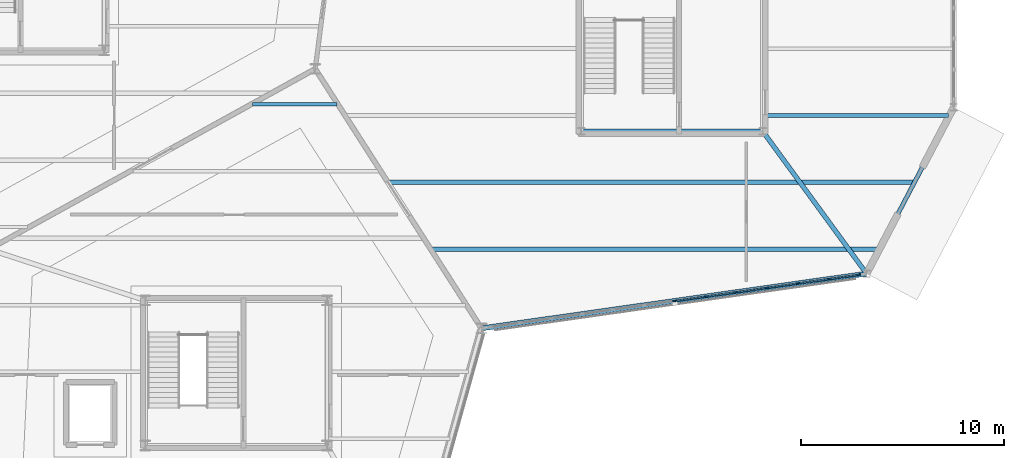
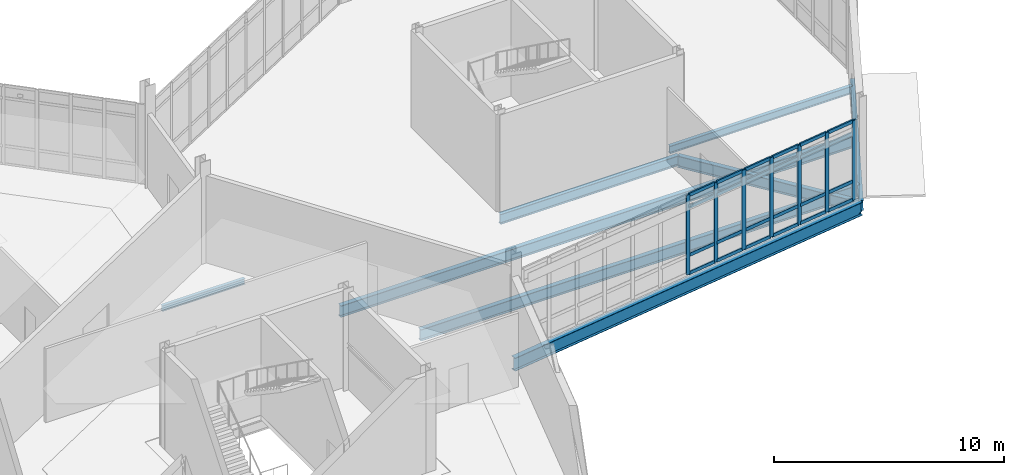
# One storey, part 64 of 113: 31 members, 8 beams, 1 element without a shape of its own.
"""IFC4 building model written with IfcOpenShell, lengths in metres."""

from ifc_helpers import new_model, si_unit, direction, frame, origin, origin_2d, place, context, subcontext, project, spatial, rectangle, i_section, extrude, material, material_profile, profile_set, type_object, element, aggregate, save


model = new_model("IFC4")

# Units and contexts
model_context = context("Model", 3, precision=1e-05, world=origin(), true_north=direction((0.0, 1.0)))
body_context = subcontext(model_context, "Body", "Model", "MODEL_VIEW")
ifc_project = project(units=[si_unit("LENGTHUNIT", "METRE"), si_unit("AREAUNIT", "SQUARE_METRE"), si_unit("VOLUMEUNIT", "CUBIC_METRE"), si_unit("PLANEANGLEUNIT", "RADIAN"), si_unit("MASSUNIT", "GRAM", prefix="KILO")], contexts=[model_context])

# Site, building, storey
site_placement = place(None, origin())
site = spatial("IfcSite", under=ifc_project, at=site_placement, CompositionType="ELEMENT")
building_placement = place(site_placement, origin())
building = spatial("IfcBuilding", under=site, at=building_placement, Name="Tameran Prism Museum", CompositionType="ELEMENT")
storey_placement = place(building_placement, origin())
storey = spatial("IfcBuildingStorey", under=building, at=storey_placement, Name="L00", CompositionType="ELEMENT", Elevation=0.0)

# Beams
ifc_material_1 = material(Name="Steel Grade 300PLUS (300 MPa)", Category="steel")
ifc_material_profile_1 = material_profile(ifc_material_1, i_section(OverallWidth=0.1650390625, OverallDepth=0.303955078125, WebThickness=0.006103515625, FlangeThickness=0.01025390625, FilletRadius=0.011474609375, at=origin_2d()))
ifc_profile_set_1 = profile_set([ifc_material_profile_1])
beam_type_1 = type_object("IfcBeamType", Name="BM-J310B", PredefinedType="JOIST", material=ifc_profile_set_1)
beam_1_placement = place(storey_placement, frame((131.81689453125, 96.25, -0.39208984375), z_axis=(1.0, 0.0, 0.0), x_axis=(0.0, 1.0, 0.0)))
element("IfcBeam", 1, at=beam_1_placement, inside=storey, type_object=beam_type_1, Name="Floor Beam BM-0180", PredefinedType="JOIST", context=body_context, shape_type="SweptSolid", body=[
    extrude(i_section(OverallWidth=0.1650390625, OverallDepth=0.303955078125, WebThickness=0.006103515625, FlangeThickness=0.01025390625, FilletRadius=0.011474609375, at=origin_2d()), origin(), (0.0, 0.0, 1.0), 4.1572265625),
])
ifc_material_2 = material(Name="Steel Grade 300PLUS (300 MPa)", Category="steel")
ifc_material_profile_2 = material_profile(ifc_material_2, i_section(OverallWidth=0.177978515625, OverallDepth=0.403076171875, WebThickness=0.007568359375, FlangeThickness=0.010986328125, FilletRadius=0.011474609375, at=origin_2d()))
ifc_profile_set_2 = profile_set([ifc_material_profile_2])
beam_type_2 = type_object("IfcBeamType", Name="BM-J410B", PredefinedType="JOIST", material=ifc_profile_set_2)
beam_2_placement = place(storey_placement, frame((156.97998046875, 95.699951171875, -0.44140625), z_axis=(1.0, 0.0, 0.0), x_axis=(0.0, 1.0, 0.0)))
element("IfcBeam", 2, at=beam_2_placement, inside=storey, type_object=beam_type_2, Name="Floor Beam BM-0193", PredefinedType="JOIST", context=body_context, shape_type="SweptSolid", body=[
    extrude(i_section(OverallWidth=0.177978515625, OverallDepth=0.403076171875, WebThickness=0.007568359375, FlangeThickness=0.010986328125, FilletRadius=0.011474609375, at=origin_2d()), origin(), (0.0, 0.0, 1.0), 9.1650390625),
])
ifc_material_3 = material(Name="Steel Grade 300PLUS (300 MPa)", Category="steel")
ifc_material_profile_3 = material_profile(ifc_material_3, i_section(OverallWidth=0.208984375, OverallDepth=0.532958984375, WebThickness=0.01025390625, FlangeThickness=0.015625, FilletRadius=0.013916015625, at=origin_2d()))
ifc_profile_set_3 = profile_set([ifc_material_profile_3])
beam_type_3 = type_object("IfcBeamType", Name="BM-SP530A", PredefinedType="SPANDREL", material=ifc_profile_set_3)
beam_3_placement = place(storey_placement, frame((162.10009765625, 87.89990234375, -0.506591796875), z_axis=(0.464385293852, 0.885633275602, 0.0), x_axis=(-0.885633275602, 0.464385293852, 0.0)))
element("IfcBeam", 3, at=beam_3_placement, inside=storey, type_object=beam_type_3, Name="Perimeter Spandrel SP-0017", PredefinedType="SPANDREL", context=body_context, shape_type="SweptSolid", body=[
    extrude(i_section(OverallWidth=0.208984375, OverallDepth=0.532958984375, WebThickness=0.01025390625, FlangeThickness=0.015625, FilletRadius=0.013916015625, at=origin_2d()), origin(), (0.0, 0.0, 1.0), 9.259033203125),
])
ifc_material_4 = material(Name="Steel Grade 300PLUS (300 MPa)", Category="steel")
ifc_material_profile_4 = material_profile(ifc_material_4, i_section(OverallWidth=0.208984375, OverallDepth=0.528076171875, WebThickness=0.009521484375, FlangeThickness=0.01318359375, FilletRadius=0.013916015625, at=origin_2d()))
ifc_profile_set_4 = profile_set([ifc_material_profile_4])
beam_type_4 = type_object("IfcBeamType", Name="BM-SP530B", PredefinedType="SPANDREL", material=ifc_profile_set_4)
beam_4_placement = place(storey_placement, frame((148.02001953125, 94.919921875, -0.50390625), z_axis=(1.0, 0.0, 0.0), x_axis=(0.0, 1.0, 0.0)))
element("IfcBeam", 4, at=beam_4_placement, inside=storey, type_object=beam_type_4, Name="Core Ring Beam CTB-0142", PredefinedType="SPANDREL", context=body_context, shape_type="SweptSolid", body=[
    extrude(i_section(OverallWidth=0.208984375, OverallDepth=0.528076171875, WebThickness=0.009521484375, FlangeThickness=0.01318359375, FilletRadius=0.013916015625, at=origin_2d()), origin(), (0.0, 0.0, 1.0), 8.9599609375),
])
ifc_material_5 = material(Name="Steel Grade 350 (350 MPa)", Category="steel")
ifc_material_profile_5 = material_profile(ifc_material_5, i_section(OverallWidth=0.25, OverallDepth=0.699951171875, WebThickness=0.010009765625, FlangeThickness=0.02001953125, at=origin_2d()))
ifc_profile_set_5 = profile_set([ifc_material_profile_5])
beam_type_5 = type_object("IfcBeamType", Name="BM-SP700", PredefinedType="SPANDREL", material=ifc_profile_set_5)
beam_5_placement = place(storey_placement, frame((143.10009765625, 85.199951171875, -0.590087890625), z_axis=(0.990053795421, 0.140689310798, 0.0), x_axis=(-0.140689310798, 0.990053795421, 0.0)))
element("IfcBeam", 5, at=beam_5_placement, inside=storey, type_object=beam_type_5, Name="Perimeter Spandrel SP-0016", PredefinedType="SPANDREL", context=body_context, shape_type="SweptSolid", body=[
    extrude(i_section(OverallWidth=0.25, OverallDepth=0.699951171875, WebThickness=0.010009765625, FlangeThickness=0.02001953125, at=origin_2d()), origin(), (0.0, 0.0, 1.0), 19.19091796875),
])
ifc_material_6 = material(Name="Steel Grade 300PLUS (300 MPa)", Category="steel")
ifc_material_profile_6 = material_profile(ifc_material_6, i_section(OverallWidth=0.22900390625, OverallDepth=0.612060546875, WebThickness=0.011962890625, FlangeThickness=0.01953125, FilletRadius=0.013916015625, at=origin_2d()))
ifc_profile_set_6 = profile_set([ifc_material_profile_6])
beam_type_6 = type_object("IfcBeamType", Name="BM-UB610A", PredefinedType="BEAM", material=ifc_profile_set_6)
beam_6_placement = place(storey_placement, frame((156.97998046875, 94.919921875, -0.56005859375), z_axis=(0.589273812412, -0.807933397011, 0.0), x_axis=(0.807933397011, 0.589273812412, 0.0)))
element("IfcBeam", 6, at=beam_6_placement, inside=storey, type_object=beam_type_6, Name="Frame Tie Girder FG-1428", PredefinedType="BEAM", context=body_context, shape_type="SweptSolid", body=[
    extrude(i_section(OverallWidth=0.22900390625, OverallDepth=0.612060546875, WebThickness=0.011962890625, FlangeThickness=0.01953125, FilletRadius=0.013916015625, at=origin_2d()), origin(), (0.0, 0.0, 1.0), 8.68896484375),
])
ifc_material_7 = material(Name="Steel Grade 300PLUS (300 MPa)", Category="steel")
ifc_material_profile_7 = material_profile(ifc_material_7, i_section(OverallWidth=0.22802734375, OverallDepth=0.60693359375, WebThickness=0.01123046875, FlangeThickness=0.017333984375, FilletRadius=0.013916015625, at=origin_2d()))
ifc_profile_set_7 = profile_set([ifc_material_profile_7])
beam_type_7 = type_object("IfcBeamType", Name="BM-UB610B", PredefinedType="BEAM", material=ifc_profile_set_7)
beam_7_placement = place(storey_placement, frame((140.64892578125, 89.10009765625, -0.54345703125), z_axis=(1.0, 0.0, 0.0), x_axis=(0.0, 1.0, 0.0)))
element("IfcBeam", 7, at=beam_7_placement, inside=storey, type_object=beam_type_7, Name="Floor Beam BM-0190", PredefinedType="BEAM", context=body_context, shape_type="SweptSolid", body=[
    extrude(i_section(OverallWidth=0.22802734375, OverallDepth=0.60693359375, WebThickness=0.01123046875, FlangeThickness=0.017333984375, FilletRadius=0.013916015625, at=origin_2d()), origin(), (0.0, 0.0, 1.0), 22.03515625),
])
beam_8_placement = place(storey_placement, frame((138.534912109375, 92.39990234375, -0.54345703125), z_axis=(1.0, 0.0, 0.0), x_axis=(0.0, 1.0, 0.0)))
element("IfcBeam", 8, at=beam_8_placement, inside=storey, type_object=beam_type_7, Name="Floor Beam BM-0191", PredefinedType="BEAM", context=body_context, shape_type="SweptSolid", body=[
    extrude(i_section(OverallWidth=0.22802734375, OverallDepth=0.60693359375, WebThickness=0.01123046875, FlangeThickness=0.017333984375, FilletRadius=0.013916015625, at=origin_2d()), origin(), (0.0, 0.0, 1.0), 25.880126953125),
])

# Curtain wall, members
ifc_material_8 = material(Name="Anodised Aluminium 6063-T6 and Cyclone Solar Glass", Category="aluminium")
curtain_wall_type = type_object("IfcCurtainWallType", Name="CW-FAC-1843x422", PredefinedType="USERDEFINED", material=ifc_material_8)
curtain_wall_placement = place(storey_placement, origin())
curtain_wall = element("IfcCurtainWall", 9, at=curtain_wall_placement, inside=storey, type_object=curtain_wall_type, Name="Unitised Curtain Wall CW-025", ObjectType="UNITISED CURTAIN WALL", PredefinedType="USERDEFINED")
ifc_material_9 = material(Name="Anodised Aluminium Alloy 6063-T6", Category="aluminium")
ifc_material_profile_8 = material_profile(ifc_material_9, rectangle(XDim=0.074951171875, YDim=0.199951171875, at=origin_2d()))
ifc_profile_set_8 = profile_set([ifc_material_profile_8])
member_type_1 = type_object("IfcMemberType", Name="CW-MUL-C", PredefinedType="MULLION", material=ifc_profile_set_8)
member_1_placement = place(storey_placement, frame((161.7158203125, 87.845703125, 0.0), z_axis=(0.0, 0.0, 1.0), x_axis=(0.1407452685, -0.990045842067, 0.0)))
member_1 = element("IfcMember", 10, at=member_1_placement, type_object=member_type_1, Name="CW-025 mullion 1", PredefinedType="MULLION", context=body_context, shape_type="SweptSolid", body=[
    extrude(rectangle(XDim=0.074951171875, YDim=0.199951171875, at=origin_2d()), origin(), (0.0, 0.0, 1.0), 4.219970703125),
])
member_2_placement = place(storey_placement, frame((160.232421875, 87.634765625, 0.0), z_axis=(0.0, 0.0, 1.0), x_axis=(0.1407452685, -0.990045842067, 0.0)))
member_2 = element("IfcMember", 11, at=member_2_placement, type_object=member_type_1, Name="CW-025 mullion 2", PredefinedType="MULLION", context=body_context, shape_type="SweptSolid", body=[
    extrude(rectangle(XDim=0.074951171875, YDim=0.199951171875, at=origin_2d()), origin(), (0.0, 0.0, 1.0), 4.219970703125),
])
member_3_placement = place(storey_placement, frame((158.7119140625, 87.418701171875, 0.0), z_axis=(0.0, 0.0, 1.0), x_axis=(0.1407452685, -0.990045842067, 0.0)))
member_3 = element("IfcMember", 12, at=member_3_placement, type_object=member_type_1, Name="CW-025 mullion 3", PredefinedType="MULLION", context=body_context, shape_type="SweptSolid", body=[
    extrude(rectangle(XDim=0.074951171875, YDim=0.199951171875, at=origin_2d()), origin(), (0.0, 0.0, 1.0), 4.219970703125),
])
member_4_placement = place(storey_placement, frame((157.191162109375, 87.202392578125, 0.0), z_axis=(0.0, 0.0, 1.0), x_axis=(0.1407452685, -0.990045842067, 0.0)))
member_4 = element("IfcMember", 13, at=member_4_placement, type_object=member_type_1, Name="CW-025 mullion 4", PredefinedType="MULLION", context=body_context, shape_type="SweptSolid", body=[
    extrude(rectangle(XDim=0.074951171875, YDim=0.199951171875, at=origin_2d()), origin(), (0.0, 0.0, 1.0), 4.219970703125),
])
member_5_placement = place(storey_placement, frame((155.670654296875, 86.986328125, 0.0), z_axis=(0.0, 0.0, 1.0), x_axis=(0.1407452685, -0.990045842067, 0.0)))
member_5 = element("IfcMember", 14, at=member_5_placement, type_object=member_type_1, Name="CW-025 mullion 5", PredefinedType="MULLION", context=body_context, shape_type="SweptSolid", body=[
    extrude(rectangle(XDim=0.074951171875, YDim=0.199951171875, at=origin_2d()), origin(), (0.0, 0.0, 1.0), 4.219970703125),
])
member_6_placement = place(storey_placement, frame((154.150146484375, 86.770263671875, 0.0), z_axis=(0.0, 0.0, 1.0), x_axis=(0.1407452685, -0.990045842067, 0.0)))
member_6 = element("IfcMember", 15, at=member_6_placement, type_object=member_type_1, Name="CW-025 mullion 6", PredefinedType="MULLION", context=body_context, shape_type="SweptSolid", body=[
    extrude(rectangle(XDim=0.074951171875, YDim=0.199951171875, at=origin_2d()), origin(), (0.0, 0.0, 1.0), 4.219970703125),
])
member_7_placement = place(storey_placement, frame((152.62939453125, 86.553955078125, 0.0), z_axis=(0.0, 0.0, 1.0), x_axis=(0.1407452685, -0.990045842067, 0.0)))
member_7 = element("IfcMember", 16, at=member_7_placement, type_object=member_type_1, Name="CW-025 mullion 7", PredefinedType="MULLION", context=body_context, shape_type="SweptSolid", body=[
    extrude(rectangle(XDim=0.074951171875, YDim=0.199951171875, at=origin_2d()), origin(), (0.0, 0.0, 1.0), 4.219970703125),
])
ifc_material_10 = material(Name="Anodised Aluminium Alloy 6063-T6", Category="aluminium")
ifc_material_profile_9 = material_profile(ifc_material_10, rectangle(XDim=0.074951171875, YDim=0.175048828125, at=origin_2d()))
ifc_profile_set_9 = profile_set([ifc_material_profile_9])
member_type_2 = type_object("IfcMemberType", Name="CW-TRN-C", PredefinedType="USERDEFINED", material=ifc_profile_set_9)
member_8_placement = place(storey_placement, frame((161.6787109375, 87.84033203125, 0.03759765625), z_axis=(-0.990058973258, -0.140652868689, 0.0), x_axis=(0.140652868689, -0.990058973258, 0.0)))
member_8 = element("IfcMember", 17, at=member_8_placement, type_object=member_type_2, Name="CW-025 transom 1.1", ObjectType="TRANSOM", PredefinedType="USERDEFINED", context=body_context, shape_type="SweptSolid", body=[
    extrude(rectangle(XDim=0.074951171875, YDim=0.175048828125, at=origin_2d()), origin(), (0.0, 0.0, 1.0), 1.42333984375),
])
member_9_placement = place(storey_placement, frame((161.6787109375, 87.84033203125, 1.0), z_axis=(-0.990058973258, -0.140652868689, 0.0), x_axis=(0.140652868689, -0.990058973258, 0.0)))
member_9 = element("IfcMember", 18, at=member_9_placement, type_object=member_type_2, Name="CW-025 transom 1.2", ObjectType="TRANSOM", PredefinedType="USERDEFINED", context=body_context, shape_type="SweptSolid", body=[
    extrude(rectangle(XDim=0.074951171875, YDim=0.175048828125, at=origin_2d()), origin(), (0.0, 0.0, 1.0), 1.42333984375),
])
member_10_placement = place(storey_placement, frame((161.6787109375, 87.84033203125, 3.5400390625), z_axis=(-0.990058973258, -0.140652868689, 0.0), x_axis=(0.140652868689, -0.990058973258, 0.0)))
member_10 = element("IfcMember", 19, at=member_10_placement, type_object=member_type_2, Name="CW-025 transom 1.3", ObjectType="TRANSOM", PredefinedType="USERDEFINED", context=body_context, shape_type="SweptSolid", body=[
    extrude(rectangle(XDim=0.074951171875, YDim=0.175048828125, at=origin_2d()), origin(), (0.0, 0.0, 1.0), 1.42333984375),
])
member_11_placement = place(storey_placement, frame((161.6787109375, 87.84033203125, 4.1826171875), z_axis=(-0.990058973258, -0.140652868689, 0.0), x_axis=(0.140652868689, -0.990058973258, 0.0)))
member_11 = element("IfcMember", 20, at=member_11_placement, type_object=member_type_2, Name="CW-025 transom 1.4", ObjectType="TRANSOM", PredefinedType="USERDEFINED", context=body_context, shape_type="SweptSolid", body=[
    extrude(rectangle(XDim=0.074951171875, YDim=0.175048828125, at=origin_2d()), origin(), (0.0, 0.0, 1.0), 1.42333984375),
])
member_12_placement = place(storey_placement, frame((160.1953125, 87.629638671875, 0.03759765625), z_axis=(-0.990026223169, -0.140883204951, 0.0), x_axis=(0.140883204951, -0.990026223169, 0.0)))
member_12 = element("IfcMember", 21, at=member_12_placement, type_object=member_type_2, Name="CW-025 transom 2.1", ObjectType="TRANSOM", PredefinedType="USERDEFINED", context=body_context, shape_type="SweptSolid", body=[
    extrude(rectangle(XDim=0.074951171875, YDim=0.175048828125, at=origin_2d()), origin(), (0.0, 0.0, 1.0), 1.4609375),
])
member_13_placement = place(storey_placement, frame((160.1953125, 87.629638671875, 1.0), z_axis=(-0.990026223169, -0.140883204951, 0.0), x_axis=(0.140883204951, -0.990026223169, 0.0)))
member_13 = element("IfcMember", 22, at=member_13_placement, type_object=member_type_2, Name="CW-025 transom 2.2", ObjectType="TRANSOM", PredefinedType="USERDEFINED", context=body_context, shape_type="SweptSolid", body=[
    extrude(rectangle(XDim=0.074951171875, YDim=0.175048828125, at=origin_2d()), origin(), (0.0, 0.0, 1.0), 1.4609375),
])
member_14_placement = place(storey_placement, frame((160.1953125, 87.629638671875, 3.5400390625), z_axis=(-0.990026223169, -0.140883204951, 0.0), x_axis=(0.140883204951, -0.990026223169, 0.0)))
member_14 = element("IfcMember", 23, at=member_14_placement, type_object=member_type_2, Name="CW-025 transom 2.3", ObjectType="TRANSOM", PredefinedType="USERDEFINED", context=body_context, shape_type="SweptSolid", body=[
    extrude(rectangle(XDim=0.074951171875, YDim=0.175048828125, at=origin_2d()), origin(), (0.0, 0.0, 1.0), 1.4609375),
])
member_15_placement = place(storey_placement, frame((160.1953125, 87.629638671875, 4.1826171875), z_axis=(-0.990026223169, -0.140883204951, 0.0), x_axis=(0.140883204951, -0.990026223169, 0.0)))
member_15 = element("IfcMember", 24, at=member_15_placement, type_object=member_type_2, Name="CW-025 transom 2.4", ObjectType="TRANSOM", PredefinedType="USERDEFINED", context=body_context, shape_type="SweptSolid", body=[
    extrude(rectangle(XDim=0.074951171875, YDim=0.175048828125, at=origin_2d()), origin(), (0.0, 0.0, 1.0), 1.4609375),
])
member_16_placement = place(storey_placement, frame((158.6748046875, 87.413330078125, 0.03759765625), z_axis=(-0.990052828496, -0.140696115037, 0.0), x_axis=(0.140696115037, -0.990052828496, 0.0)))
member_16 = element("IfcMember", 25, at=member_16_placement, type_object=member_type_2, Name="CW-025 transom 3.1", ObjectType="TRANSOM", PredefinedType="USERDEFINED", context=body_context, shape_type="SweptSolid", body=[
    extrude(rectangle(XDim=0.074951171875, YDim=0.175048828125, at=origin_2d()), origin(), (0.0, 0.0, 1.0), 1.461181640625),
])
member_17_placement = place(storey_placement, frame((158.6748046875, 87.413330078125, 1.0), z_axis=(-0.990052828496, -0.140696115037, 0.0), x_axis=(0.140696115037, -0.990052828496, 0.0)))
member_17 = element("IfcMember", 26, at=member_17_placement, type_object=member_type_2, Name="CW-025 transom 3.2", ObjectType="TRANSOM", PredefinedType="USERDEFINED", context=body_context, shape_type="SweptSolid", body=[
    extrude(rectangle(XDim=0.074951171875, YDim=0.175048828125, at=origin_2d()), origin(), (0.0, 0.0, 1.0), 1.461181640625),
])
member_18_placement = place(storey_placement, frame((158.6748046875, 87.413330078125, 3.5400390625), z_axis=(-0.990052828496, -0.140696115037, 0.0), x_axis=(0.140696115037, -0.990052828496, 0.0)))
member_18 = element("IfcMember", 27, at=member_18_placement, type_object=member_type_2, Name="CW-025 transom 3.3", ObjectType="TRANSOM", PredefinedType="USERDEFINED", context=body_context, shape_type="SweptSolid", body=[
    extrude(rectangle(XDim=0.074951171875, YDim=0.175048828125, at=origin_2d()), origin(), (0.0, 0.0, 1.0), 1.461181640625),
])
member_19_placement = place(storey_placement, frame((158.6748046875, 87.413330078125, 4.1826171875), z_axis=(-0.990052828496, -0.140696115037, 0.0), x_axis=(0.140696115037, -0.990052828496, 0.0)))
member_19 = element("IfcMember", 28, at=member_19_placement, type_object=member_type_2, Name="CW-025 transom 3.4", ObjectType="TRANSOM", PredefinedType="USERDEFINED", context=body_context, shape_type="SweptSolid", body=[
    extrude(rectangle(XDim=0.074951171875, YDim=0.175048828125, at=origin_2d()), origin(), (0.0, 0.0, 1.0), 1.461181640625),
])
member_20_placement = place(storey_placement, frame((157.154052734375, 87.197265625, 0.03759765625), z_axis=(-0.990049519913, -0.140719394964, 0.0), x_axis=(0.140719394964, -0.990049519913, 0.0)))
member_20 = element("IfcMember", 29, at=member_20_placement, type_object=member_type_2, Name="CW-025 transom 4.1", ObjectType="TRANSOM", PredefinedType="USERDEFINED", context=body_context, shape_type="SweptSolid", body=[
    extrude(rectangle(XDim=0.074951171875, YDim=0.175048828125, at=origin_2d()), origin(), (0.0, 0.0, 1.0), 1.4609375),
])
member_21_placement = place(storey_placement, frame((157.154052734375, 87.197265625, 1.0), z_axis=(-0.990049519913, -0.140719394964, 0.0), x_axis=(0.140719394964, -0.990049519913, 0.0)))
member_21 = element("IfcMember", 30, at=member_21_placement, type_object=member_type_2, Name="CW-025 transom 4.2", ObjectType="TRANSOM", PredefinedType="USERDEFINED", context=body_context, shape_type="SweptSolid", body=[
    extrude(rectangle(XDim=0.074951171875, YDim=0.175048828125, at=origin_2d()), origin(), (0.0, 0.0, 1.0), 1.4609375),
])
member_22_placement = place(storey_placement, frame((157.154052734375, 87.197265625, 3.5400390625), z_axis=(-0.990049519913, -0.140719394964, 0.0), x_axis=(0.140719394964, -0.990049519913, 0.0)))
member_22 = element("IfcMember", 31, at=member_22_placement, type_object=member_type_2, Name="CW-025 transom 4.3", ObjectType="TRANSOM", PredefinedType="USERDEFINED", context=body_context, shape_type="SweptSolid", body=[
    extrude(rectangle(XDim=0.074951171875, YDim=0.175048828125, at=origin_2d()), origin(), (0.0, 0.0, 1.0), 1.4609375),
])
member_23_placement = place(storey_placement, frame((157.154052734375, 87.197265625, 4.1826171875), z_axis=(-0.990049519913, -0.140719394964, 0.0), x_axis=(0.140719394964, -0.990049519913, 0.0)))
member_23 = element("IfcMember", 32, at=member_23_placement, type_object=member_type_2, Name="CW-025 transom 4.4", ObjectType="TRANSOM", PredefinedType="USERDEFINED", context=body_context, shape_type="SweptSolid", body=[
    extrude(rectangle(XDim=0.074951171875, YDim=0.175048828125, at=origin_2d()), origin(), (0.0, 0.0, 1.0), 1.4609375),
])
member_24_placement = place(storey_placement, frame((155.633544921875, 86.98095703125, 0.03759765625), z_axis=(-0.990049519913, -0.140719394964, 0.0), x_axis=(0.140719394964, -0.990049519913, 0.0)))
member_24 = element("IfcMember", 33, at=member_24_placement, type_object=member_type_2, Name="CW-025 transom 5.1", ObjectType="TRANSOM", PredefinedType="USERDEFINED", context=body_context, shape_type="SweptSolid", body=[
    extrude(rectangle(XDim=0.074951171875, YDim=0.175048828125, at=origin_2d()), origin(), (0.0, 0.0, 1.0), 1.4609375),
])
member_25_placement = place(storey_placement, frame((155.633544921875, 86.98095703125, 1.0), z_axis=(-0.990049519913, -0.140719394964, 0.0), x_axis=(0.140719394964, -0.990049519913, 0.0)))
member_25 = element("IfcMember", 34, at=member_25_placement, type_object=member_type_2, Name="CW-025 transom 5.2", ObjectType="TRANSOM", PredefinedType="USERDEFINED", context=body_context, shape_type="SweptSolid", body=[
    extrude(rectangle(XDim=0.074951171875, YDim=0.175048828125, at=origin_2d()), origin(), (0.0, 0.0, 1.0), 1.4609375),
])
member_26_placement = place(storey_placement, frame((155.633544921875, 86.98095703125, 3.5400390625), z_axis=(-0.990049519913, -0.140719394964, 0.0), x_axis=(0.140719394964, -0.990049519913, 0.0)))
member_26 = element("IfcMember", 35, at=member_26_placement, type_object=member_type_2, Name="CW-025 transom 5.3", ObjectType="TRANSOM", PredefinedType="USERDEFINED", context=body_context, shape_type="SweptSolid", body=[
    extrude(rectangle(XDim=0.074951171875, YDim=0.175048828125, at=origin_2d()), origin(), (0.0, 0.0, 1.0), 1.4609375),
])
member_27_placement = place(storey_placement, frame((155.633544921875, 86.98095703125, 4.1826171875), z_axis=(-0.990049519913, -0.140719394964, 0.0), x_axis=(0.140719394964, -0.990049519913, 0.0)))
member_27 = element("IfcMember", 36, at=member_27_placement, type_object=member_type_2, Name="CW-025 transom 5.4", ObjectType="TRANSOM", PredefinedType="USERDEFINED", context=body_context, shape_type="SweptSolid", body=[
    extrude(rectangle(XDim=0.074951171875, YDim=0.175048828125, at=origin_2d()), origin(), (0.0, 0.0, 1.0), 1.4609375),
])
member_28_placement = place(storey_placement, frame((154.113037109375, 86.764892578125, 0.03759765625), z_axis=(-0.990049519913, -0.140719394964, 0.0), x_axis=(0.140719394964, -0.990049519913, 0.0)))
member_28 = element("IfcMember", 37, at=member_28_placement, type_object=member_type_2, Name="CW-025 transom 6.1", ObjectType="TRANSOM", PredefinedType="USERDEFINED", context=body_context, shape_type="SweptSolid", body=[
    extrude(rectangle(XDim=0.074951171875, YDim=0.175048828125, at=origin_2d()), origin(), (0.0, 0.0, 1.0), 1.4609375),
])
member_29_placement = place(storey_placement, frame((154.113037109375, 86.764892578125, 1.0), z_axis=(-0.990049519913, -0.140719394964, 0.0), x_axis=(0.140719394964, -0.990049519913, 0.0)))
member_29 = element("IfcMember", 38, at=member_29_placement, type_object=member_type_2, Name="CW-025 transom 6.2", ObjectType="TRANSOM", PredefinedType="USERDEFINED", context=body_context, shape_type="SweptSolid", body=[
    extrude(rectangle(XDim=0.074951171875, YDim=0.175048828125, at=origin_2d()), origin(), (0.0, 0.0, 1.0), 1.4609375),
])
member_30_placement = place(storey_placement, frame((154.113037109375, 86.764892578125, 3.5400390625), z_axis=(-0.990049519913, -0.140719394964, 0.0), x_axis=(0.140719394964, -0.990049519913, 0.0)))
member_30 = element("IfcMember", 39, at=member_30_placement, type_object=member_type_2, Name="CW-025 transom 6.3", ObjectType="TRANSOM", PredefinedType="USERDEFINED", context=body_context, shape_type="SweptSolid", body=[
    extrude(rectangle(XDim=0.074951171875, YDim=0.175048828125, at=origin_2d()), origin(), (0.0, 0.0, 1.0), 1.4609375),
])
member_31_placement = place(storey_placement, frame((154.113037109375, 86.764892578125, 4.1826171875), z_axis=(-0.990049519913, -0.140719394964, 0.0), x_axis=(0.140719394964, -0.990049519913, 0.0)))
member_31 = element("IfcMember", 40, at=member_31_placement, type_object=member_type_2, Name="CW-025 transom 6.4", ObjectType="TRANSOM", PredefinedType="USERDEFINED", context=body_context, shape_type="SweptSolid", body=[
    extrude(rectangle(XDim=0.074951171875, YDim=0.175048828125, at=origin_2d()), origin(), (0.0, 0.0, 1.0), 1.4609375),
])
aggregate(curtain_wall, [member_1, member_2, member_3, member_4, member_5, member_6, member_7, member_8, member_9, member_10, member_11, member_12, member_13, member_14, member_15, member_16, member_17, member_18, member_19, member_20, member_21, member_22, member_23, member_24, member_25, member_26, member_27, member_28, member_29, member_30, member_31])

save(model, "model.ifc")
